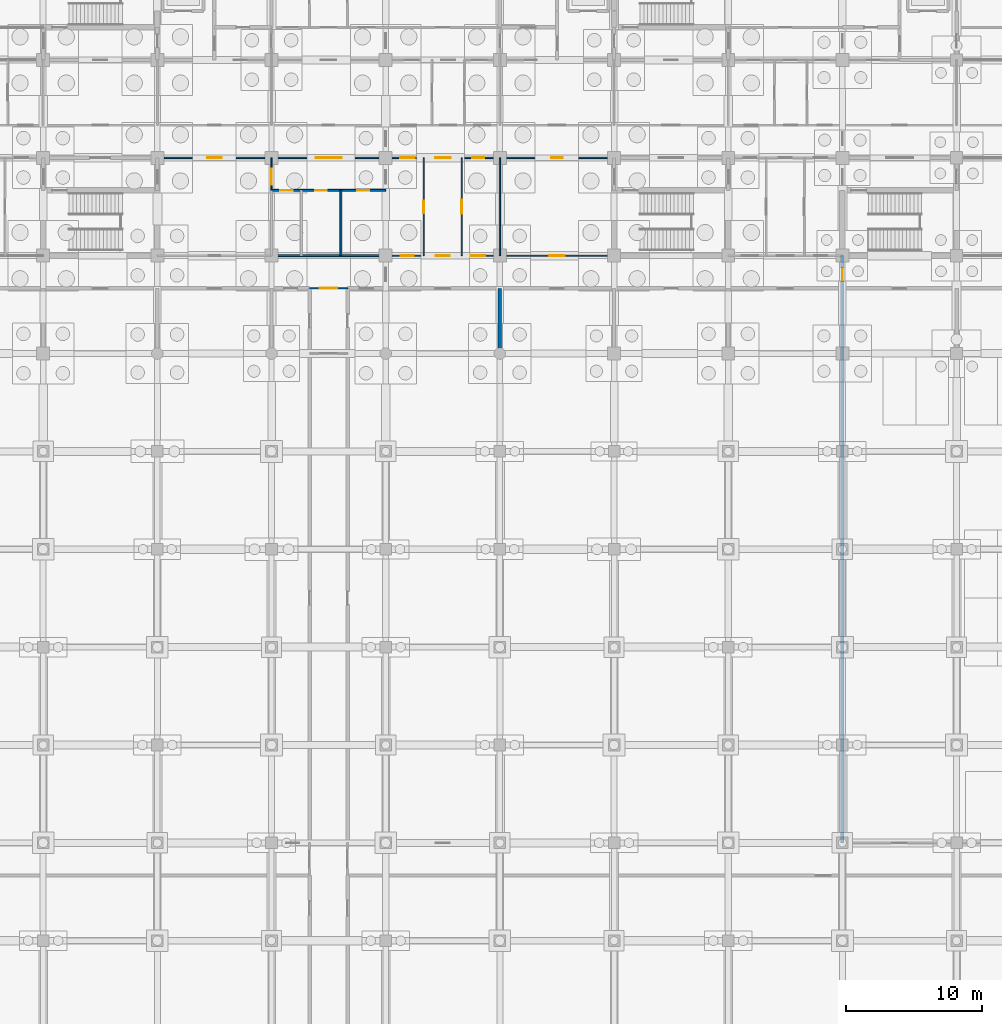
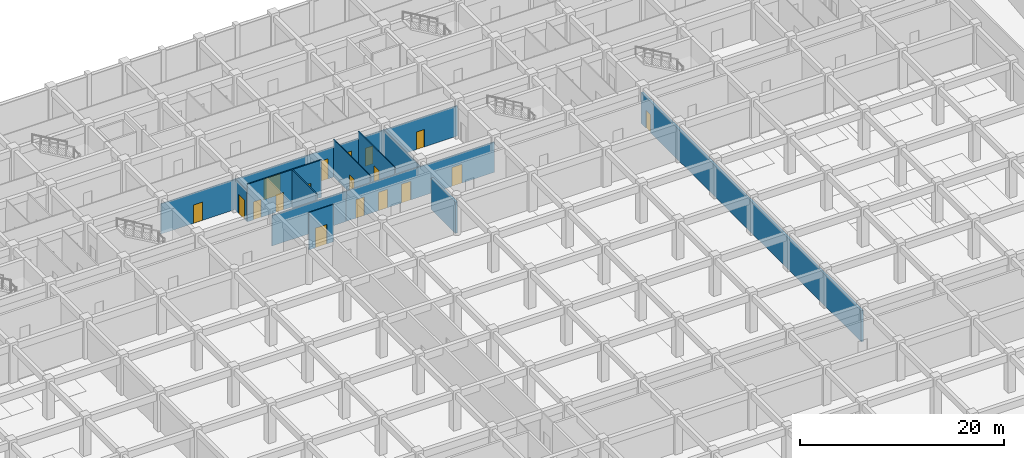
# One storey, part 37 of 85: 18 doors, 12 walls, 18 openings.
"""IFC4 building model written with IfcOpenShell, lengths in metres."""

from ifc_helpers import new_model, si_unit, direction, frame, frame_2d, origin, place, context, subcontext, project, spatial, rectangle, extrude, material, layer, layer_set, type_object, element, fill, save


model = new_model("IFC4")

# Units and contexts
model_context = context("Model", 3, precision=1e-05, world=origin(), true_north=direction((0.0, 1.0)))
body_context = subcontext(model_context, "Body", "Model", "MODEL_VIEW")
ifc_project = project(units=[si_unit("LENGTHUNIT", "METRE"), si_unit("AREAUNIT", "SQUARE_METRE"), si_unit("VOLUMEUNIT", "CUBIC_METRE"), si_unit("PLANEANGLEUNIT", "RADIAN"), si_unit("MASSUNIT", "GRAM", prefix="KILO")], contexts=[model_context])

# Site, building, storey
site_placement = place(None, origin())
site = spatial("IfcSite", under=ifc_project, at=site_placement, CompositionType="ELEMENT")
building_placement = place(site_placement, origin())
building = spatial("IfcBuilding", under=site, at=building_placement, Name="Chengyuan Square Courthouse", CompositionType="ELEMENT")
storey_placement = place(building_placement, frame((0.0, 0.0, -10.199951171875)))
storey = spatial("IfcBuildingStorey", under=building, at=storey_placement, Name="B02", CompositionType="ELEMENT", Elevation=-10.199951171875)

# Wall
ifc_material_1 = material(Name="Concrete C40", Category="concrete")
ifc_layer_1 = layer(ifc_material_1, 0.25)
ifc_layer_set_1 = layer_set([ifc_layer_1], Name="Concrete C40")
wall_type_1 = type_object("IfcWallType", Name="WL-FW1", PredefinedType="STANDARD", material=ifc_layer_set_1)
wall_1_placement = place(storey_placement, frame((92.39990234375, 79.199951171875, 0.0), z_axis=(0.0, 0.0, 1.0), x_axis=(0.0, 1.0, 0.0)))
element("IfcWall", 1, at=wall_1_placement, inside=storey, type_object=wall_type_1, Name="Interior Wall WL-B02-I204", PredefinedType="STANDARD", context=body_context, shape_type="SweptSolid", body=[
    extrude(rectangle(XDim=4.800048828125, YDim=0.25, at=frame_2d((2.39990234375, 0.0))), origin(), (0.0, 0.0, 1.0), 3.72998046875),
])

# Wall, opening, door
wall_2_placement = place(storey_placement, frame((117.60009765625, 43.199951171875, 0.0), z_axis=(0.0, 0.0, 1.0), x_axis=(0.0, 1.0, 0.0)))
wall_2 = element("IfcWall", 2, at=wall_2_placement, inside=storey, type_object=wall_type_1, Name="Interior Wall WL-B02-I232", PredefinedType="STANDARD", context=body_context, shape_type="SweptSolid", body=[
    extrude(rectangle(XDim=43.199951171875, YDim=0.25, at=frame_2d((21.60009765625, 0.0))), origin(), (0.0, 0.0, 1.0), 3.72998046875),
])
opening_1_placement = place(wall_2_placement, frame((41.327392578125, 0.0, 0.0)))
opening_1 = element("IfcOpeningElement", 3, at=opening_1_placement, cuts=wall_2, Name="Opening DR-303", PredefinedType="OPENING", context=body_context, shape_type="SweptSolid", body=[
    extrude(rectangle(XDim=0.949951171875, YDim=2.14990234375, at=frame_2d((0.47509765625, 1.074951171875))), frame((0.0, 0.136962890625, 0.0), z_axis=(0.0, -1.0, 0.0), x_axis=(1.0, 0.0, 0.0)), (0.0, 0.0, 1.0), 0.27392578125),
])
ifc_material_2 = material(Name="Steel Q235B Fire Door", Category="steel")
door_type_1 = type_object("IfcDoorType", Name="DT-12", OperationType="NOTDEFINED", PredefinedType="DOOR", material=ifc_material_2)
door_1_placement = place(opening_1_placement, origin())
door_1 = element("IfcDoor", 4, at=door_1_placement, inside=storey, type_object=door_type_1, Name="Interior Door DR-303", OperationType="SINGLE_SWING_RIGHT", OverallHeight=2.14990234375, OverallWidth=0.949951171875, PredefinedType="DOOR", context=body_context, shape_type="SweptSolid", body=[
    extrude(rectangle(XDim=0.949951171875, YDim=2.14990234375, at=frame_2d((0.47509765625, 1.074951171875))), frame((0.0, 0.02490234375, 0.0), z_axis=(0.0, -1.0, 0.0), x_axis=(1.0, 0.0, 0.0)), (0.0, 0.0, 1.0), 0.050048828125),
])
fill(opening_1, door_1)

# Wall
ifc_material_3 = material(Name="Moisture-Resistant Masonry Wet-Room Partition", Category="masonry")
ifc_layer_2 = layer(ifc_material_3, 0.139892578125)
ifc_layer_set_2 = layer_set([ifc_layer_2], Name="Moisture-Resistant Masonry Wet-Room Partition")
wall_type_2 = type_object("IfcWallType", Name="WL-PT4", PredefinedType="STANDARD", material=ifc_layer_set_2)
wall_3_placement = place(storey_placement, frame((75.60009765625, 86.39990234375, 0.0), z_axis=(0.0, 0.0, 1.0), x_axis=(1.0, 0.0, 0.0)))
element("IfcWall", 5, at=wall_3_placement, inside=storey, type_object=wall_type_2, Name="Interior Wall WL-B02-I034", PredefinedType="STANDARD", context=body_context, shape_type="SweptSolid", body=[
    extrude(rectangle(XDim=8.39990234375, YDim=0.139892578125, at=frame_2d((4.199951171875, 0.0))), origin(), (0.0, 0.0, 1.0), 3.6298828125),
])

# Wall, openings, doors
wall_4_placement = place(storey_placement, frame((75.60009765625, 91.199951171875, 0.0), z_axis=(0.0, 0.0, 1.0), x_axis=(1.0, 0.0, 0.0)))
wall_4 = element("IfcWall", 6, at=wall_4_placement, inside=storey, type_object=wall_type_2, Name="Interior Wall WL-B02-I045", PredefinedType="STANDARD", context=body_context, shape_type="SweptSolid", body=[
    extrude(rectangle(XDim=8.39990234375, YDim=0.139892578125, at=frame_2d((4.199951171875, 0.0))), origin(), (0.0, 0.0, 1.0), 4.47998046875),
])
opening_2_placement = place(wall_4_placement, frame((0.64990234375, 0.0, 0.0)))
opening_2 = element("IfcOpeningElement", 7, at=opening_2_placement, cuts=wall_4, Name="Opening DR-141", PredefinedType="OPENING", context=body_context, shape_type="SweptSolid", body=[
    extrude(rectangle(XDim=0.89990234375, YDim=2.14990234375, at=frame_2d((0.449951171875, 1.074951171875))), frame((0.0, 0.08203125, 0.0), z_axis=(0.0, -1.0, 0.0), x_axis=(1.0, 0.0, 0.0)), (0.0, 0.0, 1.0), 0.163818359375),
])
opening_3_placement = place(wall_4_placement, frame((3.219970703125, 0.0, 0.0)))
opening_3 = element("IfcOpeningElement", 8, at=opening_3_placement, cuts=wall_4, Name="Opening DR-142", PredefinedType="OPENING", context=body_context, shape_type="SweptSolid", body=[
    extrude(rectangle(XDim=0.860107421875, YDim=2.10009765625, at=frame_2d((0.43017578125, 1.050048828125))), frame((0.0, 0.08203125, 0.0), z_axis=(0.0, -1.0, 0.0), x_axis=(1.0, 0.0, 0.0)), (0.0, 0.0, 1.0), 0.163818359375),
])
opening_4_placement = place(wall_4_placement, frame((6.320068359375, 0.0, 0.0)))
opening_4 = element("IfcOpeningElement", 9, at=opening_4_placement, cuts=wall_4, Name="Opening DR-143", PredefinedType="OPENING", context=body_context, shape_type="SweptSolid", body=[
    extrude(rectangle(XDim=0.860107421875, YDim=2.10009765625, at=frame_2d((0.43017578125, 1.050048828125))), frame((0.0, 0.08203125, 0.0), z_axis=(0.0, -1.0, 0.0), x_axis=(1.0, 0.0, 0.0)), (0.0, 0.0, 1.0), 0.163818359375),
])
ifc_material_4 = material(Name="Acoustic Solid-Core Timber Door", Category="wood")
door_type_2 = type_object("IfcDoorType", Name="DT-27", OperationType="NOTDEFINED", PredefinedType="DOOR", material=ifc_material_4)
door_2_placement = place(opening_2_placement, origin())
door_2 = element("IfcDoor", 10, at=door_2_placement, inside=storey, type_object=door_type_2, Name="Interior Door DR-141", OperationType="SINGLE_SWING_LEFT", OverallHeight=2.14990234375, OverallWidth=0.89990234375, PredefinedType="DOOR", context=body_context, shape_type="SweptSolid", body=[
    extrude(rectangle(XDim=0.89990234375, YDim=2.14990234375, at=frame_2d((0.449951171875, 1.074951171875))), frame((0.0, 0.02490234375, 0.0), z_axis=(0.0, -1.0, 0.0), x_axis=(1.0, 0.0, 0.0)), (0.0, 0.0, 1.0), 0.050048828125),
])
fill(opening_2, door_2)
door_type_3 = type_object("IfcDoorType", Name="DT-28", OperationType="NOTDEFINED", PredefinedType="DOOR", material=ifc_material_4)
door_3_placement = place(opening_3_placement, origin())
door_3 = element("IfcDoor", 11, at=door_3_placement, inside=storey, type_object=door_type_3, Name="Interior Door DR-142", OperationType="SINGLE_SWING_RIGHT", OverallHeight=2.10009765625, OverallWidth=0.860107421875, PredefinedType="DOOR", context=body_context, shape_type="SweptSolid", body=[
    extrude(rectangle(XDim=0.860107421875, YDim=2.10009765625, at=frame_2d((0.43017578125, 1.050048828125))), frame((0.0, 0.02490234375, 0.0), z_axis=(0.0, -1.0, 0.0), x_axis=(1.0, 0.0, 0.0)), (0.0, 0.0, 1.0), 0.050048828125),
])
fill(opening_3, door_3)
door_4_placement = place(opening_4_placement, origin())
door_4 = element("IfcDoor", 12, at=door_4_placement, inside=storey, type_object=door_type_3, Name="Interior Door DR-143", OperationType="SINGLE_SWING_LEFT", OverallHeight=2.10009765625, OverallWidth=0.860107421875, PredefinedType="DOOR", context=body_context, shape_type="SweptSolid", body=[
    extrude(rectangle(XDim=0.860107421875, YDim=2.10009765625, at=frame_2d((0.43017578125, 1.050048828125))), frame((0.0, 0.02490234375, 0.0), z_axis=(0.0, -1.0, 0.0), x_axis=(1.0, 0.0, 0.0)), (0.0, 0.0, 1.0), 0.050048828125),
])
fill(opening_4, door_4)

# Wall
wall_5_placement = place(storey_placement, frame((80.699951171875, 86.39990234375, 0.0), z_axis=(0.0, 0.0, 1.0), x_axis=(0.0, 1.0, 0.0)))
element("IfcWall", 13, at=wall_5_placement, inside=storey, type_object=wall_type_2, Name="Interior Wall WL-B02-I194", PredefinedType="STANDARD", context=body_context, shape_type="SweptSolid", body=[
    extrude(rectangle(XDim=4.800048828125, YDim=0.139892578125, at=frame_2d((2.39990234375, 0.0))), origin(), (0.0, 0.0, 1.0), 4.47998046875),
])

# Wall, opening, door
ifc_material_5 = material(Name="Gypsum Plasterboard Acoustic Stud Partition")
ifc_layer_3 = layer(ifc_material_5, 0.10009765625)
ifc_layer_set_3 = layer_set([ifc_layer_3], Name="Gypsum Plasterboard Acoustic Stud Partition")
wall_type_3 = type_object("IfcWallType", Name="WL-PT6", PredefinedType="STANDARD", material=ifc_layer_set_3)
wall_6_placement = place(storey_placement, frame((78.39990234375, 84.0, 0.0), z_axis=(0.0, 0.0, 1.0), x_axis=(1.0, 0.0, 0.0)))
wall_6 = element("IfcWall", 14, at=wall_6_placement, inside=storey, type_object=wall_type_3, Name="Interior Wall WL-B02-I024", PredefinedType="STANDARD", context=body_context, shape_type="SweptSolid", body=[
    extrude(rectangle(XDim=2.800048828125, YDim=0.10009765625, at=frame_2d((1.39990234375, 0.0))), origin(), (0.0, 0.0, 1.0), 4.47998046875),
])
opening_5_placement = place(wall_6_placement, frame((0.760009765625, 0.0, 0.0)))
opening_5 = element("IfcOpeningElement", 15, at=opening_5_placement, cuts=wall_6, Name="Opening DR-301", PredefinedType="OPENING", context=body_context, shape_type="SweptSolid", body=[
    extrude(rectangle(XDim=1.280029296875, YDim=2.35009765625, at=frame_2d((0.64013671875, 1.175048828125))), frame((0.0, 0.06201171875, 0.0), z_axis=(0.0, -1.0, 0.0), x_axis=(1.0, 0.0, 0.0)), (0.0, 0.0, 1.0), 0.1240234375),
])
door_type_4 = type_object("IfcDoorType", Name="DT-38", OperationType="NOTDEFINED", PredefinedType="DOOR", material=ifc_material_4)
door_5_placement = place(opening_5_placement, origin())
door_5 = element("IfcDoor", 16, at=door_5_placement, inside=storey, type_object=door_type_4, Name="Interior Door DR-301", OperationType="SINGLE_SWING_RIGHT", OverallHeight=2.35009765625, OverallWidth=1.280029296875, PredefinedType="DOOR", context=body_context, shape_type="SweptSolid", body=[
    extrude(rectangle(XDim=1.280029296875, YDim=2.35009765625, at=frame_2d((0.64013671875, 1.175048828125))), frame((0.0, 0.02490234375, 0.0), z_axis=(0.0, -1.0, 0.0), x_axis=(1.0, 0.0, 0.0)), (0.0, 0.0, 1.0), 0.050048828125),
])
fill(opening_5, door_5)

# Wall, openings, doors
wall_7_placement = place(storey_placement, frame((84.0, 86.39990234375, 0.0), z_axis=(0.0, 0.0, 1.0), x_axis=(1.0, 0.0, 0.0)))
wall_7 = element("IfcWall", 17, at=wall_7_placement, inside=storey, type_object=wall_type_3, Name="Interior Wall WL-B02-I035", PredefinedType="STANDARD", context=body_context, shape_type="SweptSolid", body=[
    extrude(rectangle(XDim=16.800048828125, YDim=0.10009765625, at=frame_2d((8.39990234375, 0.0))), origin(), (0.0, 0.0, 1.0), 3.6298828125),
])
opening_6_placement = place(wall_7_placement, frame((1.117431640625, 0.0, 0.0)))
opening_6 = element("IfcOpeningElement", 18, at=opening_6_placement, cuts=wall_7, Name="Opening DR-242", PredefinedType="OPENING", context=body_context, shape_type="SweptSolid", body=[
    extrude(rectangle(XDim=0.9599609375, YDim=2.199951171875, at=frame_2d((0.47998046875, 1.10009765625))), frame((0.0, 0.06201171875, 0.0), z_axis=(0.0, -1.0, 0.0), x_axis=(1.0, 0.0, 0.0)), (0.0, 0.0, 1.0), 0.1240234375),
])
opening_7_placement = place(wall_7_placement, frame((3.679931640625, 0.0, 0.0)))
opening_7 = element("IfcOpeningElement", 19, at=opening_7_placement, cuts=wall_7, Name="Opening DR-244", PredefinedType="OPENING", context=body_context, shape_type="SweptSolid", body=[
    extrude(rectangle(XDim=1.0400390625, YDim=2.199951171875, at=frame_2d((0.52001953125, 1.10009765625))), frame((0.0, 0.06201171875, 0.0), z_axis=(0.0, -1.0, 0.0), x_axis=(1.0, 0.0, 0.0)), (0.0, 0.0, 1.0), 0.1240234375),
])
opening_8_placement = place(wall_7_placement, frame((6.262451171875, 0.0, 0.0)))
opening_8 = element("IfcOpeningElement", 20, at=opening_8_placement, cuts=wall_7, Name="Opening DR-245", PredefinedType="OPENING", context=body_context, shape_type="SweptSolid", body=[
    extrude(rectangle(XDim=1.080078125, YDim=2.25, at=frame_2d((0.5400390625, 1.125))), frame((0.0, 0.06201171875, 0.0), z_axis=(0.0, -1.0, 0.0), x_axis=(1.0, 0.0, 0.0)), (0.0, 0.0, 1.0), 0.1240234375),
])
opening_9_placement = place(wall_7_placement, frame((12.0400390625, 0.0, 0.0)))
opening_9 = element("IfcOpeningElement", 21, at=opening_9_placement, cuts=wall_7, Name="Opening DR-246", PredefinedType="OPENING", context=body_context, shape_type="SweptSolid", body=[
    extrude(rectangle(XDim=1.1201171875, YDim=2.25, at=frame_2d((0.56005859375, 1.125))), frame((0.0, 0.06201171875, 0.0), z_axis=(0.0, -1.0, 0.0), x_axis=(1.0, 0.0, 0.0)), (0.0, 0.0, 1.0), 0.1240234375),
])
door_type_5 = type_object("IfcDoorType", Name="DT-30", OperationType="NOTDEFINED", PredefinedType="DOOR", material=ifc_material_4)
door_6_placement = place(opening_6_placement, origin())
door_6 = element("IfcDoor", 22, at=door_6_placement, inside=storey, type_object=door_type_5, Name="Interior Door DR-242", OperationType="SINGLE_SWING_RIGHT", OverallHeight=2.199951171875, OverallWidth=0.9599609375, PredefinedType="DOOR", context=body_context, shape_type="SweptSolid", body=[
    extrude(rectangle(XDim=0.9599609375, YDim=2.199951171875, at=frame_2d((0.47998046875, 1.10009765625))), frame((0.0, 0.02490234375, 0.0), z_axis=(0.0, -1.0, 0.0), x_axis=(1.0, 0.0, 0.0)), (0.0, 0.0, 1.0), 0.050048828125),
])
fill(opening_6, door_6)
door_type_6 = type_object("IfcDoorType", Name="DT-32", OperationType="NOTDEFINED", PredefinedType="DOOR", material=ifc_material_4)
door_7_placement = place(opening_7_placement, origin())
door_7 = element("IfcDoor", 23, at=door_7_placement, inside=storey, type_object=door_type_6, Name="Interior Door DR-244", OperationType="SINGLE_SWING_RIGHT", OverallHeight=2.199951171875, OverallWidth=1.0400390625, PredefinedType="DOOR", context=body_context, shape_type="SweptSolid", body=[
    extrude(rectangle(XDim=1.0400390625, YDim=2.199951171875, at=frame_2d((0.52001953125, 1.10009765625))), frame((0.0, 0.02490234375, 0.0), z_axis=(0.0, -1.0, 0.0), x_axis=(1.0, 0.0, 0.0)), (0.0, 0.0, 1.0), 0.050048828125),
])
fill(opening_7, door_7)
door_type_7 = type_object("IfcDoorType", Name="DT-33", OperationType="NOTDEFINED", PredefinedType="DOOR", material=ifc_material_4)
door_8_placement = place(opening_8_placement, origin())
door_8 = element("IfcDoor", 24, at=door_8_placement, inside=storey, type_object=door_type_7, Name="Interior Door DR-245", OperationType="SINGLE_SWING_LEFT", OverallHeight=2.25, OverallWidth=1.080078125, PredefinedType="DOOR", context=body_context, shape_type="SweptSolid", body=[
    extrude(rectangle(XDim=1.080078125, YDim=2.25, at=frame_2d((0.5400390625, 1.125))), frame((0.0, 0.02490234375, 0.0), z_axis=(0.0, -1.0, 0.0), x_axis=(1.0, 0.0, 0.0)), (0.0, 0.0, 1.0), 0.050048828125),
])
fill(opening_8, door_8)
door_type_8 = type_object("IfcDoorType", Name="DT-34", OperationType="NOTDEFINED", PredefinedType="DOOR", material=ifc_material_4)
door_9_placement = place(opening_9_placement, origin())
door_9 = element("IfcDoor", 25, at=door_9_placement, inside=storey, type_object=door_type_8, Name="Interior Door DR-246", OperationType="SINGLE_SWING_RIGHT", OverallHeight=2.25, OverallWidth=1.1201171875, PredefinedType="DOOR", context=body_context, shape_type="SweptSolid", body=[
    extrude(rectangle(XDim=1.1201171875, YDim=2.25, at=frame_2d((0.56005859375, 1.125))), frame((0.0, 0.02490234375, 0.0), z_axis=(0.0, -1.0, 0.0), x_axis=(1.0, 0.0, 0.0)), (0.0, 0.0, 1.0), 0.050048828125),
])
fill(opening_9, door_9)

wall_8_placement = place(storey_placement, frame((67.199951171875, 93.60009765625, 0.0), z_axis=(0.0, 0.0, 1.0), x_axis=(1.0, 0.0, 0.0)))
wall_8 = element("IfcWall", 26, at=wall_8_placement, inside=storey, type_object=wall_type_3, Name="Interior Wall WL-B02-I055", PredefinedType="STANDARD", context=body_context, shape_type="SweptSolid", body=[
    extrude(rectangle(XDim=33.60009765625, YDim=0.10009765625, at=frame_2d((16.800048828125, 0.0))), origin(), (0.0, 0.0, 1.0), 3.6298828125),
])
opening_10_placement = place(wall_8_placement, frame((11.64990234375, 0.0, 0.0)))
opening_10 = element("IfcOpeningElement", 27, at=opening_10_placement, cuts=wall_8, Name="Opening DR-144", PredefinedType="OPENING", context=body_context, shape_type="SweptSolid", body=[
    extrude(rectangle(XDim=1.89990234375, YDim=2.5, at=frame_2d((0.949951171875, 1.25))), frame((0.0, 0.06201171875, 0.0), z_axis=(0.0, -1.0, 0.0), x_axis=(1.0, 0.0, 0.0)), (0.0, 0.0, 1.0), 0.1240234375),
])
opening_11_placement = place(wall_8_placement, frame((3.679931640625, 0.0, 0.0)))
opening_11 = element("IfcOpeningElement", 28, at=opening_11_placement, cuts=wall_8, Name="Opening DR-176", PredefinedType="OPENING", context=body_context, shape_type="SweptSolid", body=[
    extrude(rectangle(XDim=1.0400390625, YDim=2.199951171875, at=frame_2d((0.52001953125, 1.10009765625))), frame((0.0, 0.06201171875, 0.0), z_axis=(0.0, -1.0, 0.0), x_axis=(1.0, 0.0, 0.0)), (0.0, 0.0, 1.0), 0.1240234375),
])
opening_12_placement = place(wall_8_placement, frame((17.867431640625, 0.0, 0.0)))
opening_12 = element("IfcOpeningElement", 29, at=opening_12_placement, cuts=wall_8, Name="Opening DR-186", PredefinedType="OPENING", context=body_context, shape_type="SweptSolid", body=[
    extrude(rectangle(XDim=1.06005859375, YDim=2.39990234375, at=frame_2d((0.530029296875, 1.199951171875))), frame((0.0, 0.06201171875, 0.0), z_axis=(0.0, -1.0, 0.0), x_axis=(1.0, 0.0, 0.0)), (0.0, 0.0, 1.0), 0.1240234375),
])
opening_13_placement = place(wall_8_placement, frame((20.429931640625, 0.0, 0.0)))
opening_13 = element("IfcOpeningElement", 30, at=opening_13_placement, cuts=wall_8, Name="Opening DR-187", PredefinedType="OPENING", context=body_context, shape_type="SweptSolid", body=[
    extrude(rectangle(XDim=1.139892578125, YDim=2.39990234375, at=frame_2d((0.56982421875, 1.199951171875))), frame((0.0, 0.06201171875, 0.0), z_axis=(0.0, -1.0, 0.0), x_axis=(1.0, 0.0, 0.0)), (0.0, 0.0, 1.0), 0.1240234375),
])
opening_14_placement = place(wall_8_placement, frame((23.152587890625, 0.0, 0.0)))
opening_14 = element("IfcOpeningElement", 31, at=opening_14_placement, cuts=wall_8, Name="Opening DR-188", PredefinedType="OPENING", context=body_context, shape_type="SweptSolid", body=[
    extrude(rectangle(XDim=0.89990234375, YDim=2.14990234375, at=frame_2d((0.449951171875, 1.074951171875))), frame((0.0, 0.06201171875, 0.0), z_axis=(0.0, -1.0, 0.0), x_axis=(1.0, 0.0, 0.0)), (0.0, 0.0, 1.0), 0.1240234375),
])
opening_15_placement = place(wall_8_placement, frame((28.969970703125, 0.0, 0.0)))
opening_15 = element("IfcOpeningElement", 32, at=opening_15_placement, cuts=wall_8, Name="Opening DR-189", PredefinedType="OPENING", context=body_context, shape_type="SweptSolid", body=[
    extrude(rectangle(XDim=0.860107421875, YDim=2.10009765625, at=frame_2d((0.43017578125, 1.050048828125))), frame((0.0, 0.06201171875, 0.0), z_axis=(0.0, -1.0, 0.0), x_axis=(1.0, 0.0, 0.0)), (0.0, 0.0, 1.0), 0.1240234375),
])
ifc_material_6 = material(Name="Acoustic Larch Veneer Double Door")
door_type_9 = type_object("IfcDoorType", Name="DT-26", OperationType="DOUBLE_DOOR_SINGLE_SWING", PredefinedType="DOOR", material=ifc_material_6)
door_10_placement = place(opening_10_placement, frame((1.89990234375, 0.0, 0.0), z_axis=(0.0, 0.0, 1.0), x_axis=(-1.0, 0.0, 0.0)))
door_10 = element("IfcDoor", 33, at=door_10_placement, inside=storey, type_object=door_type_9, Name="Interior Door DR-144", OperationType="DOUBLE_DOOR_SINGLE_SWING", OverallHeight=2.5, OverallWidth=1.89990234375, PredefinedType="DOOR", context=body_context, shape_type="SweptSolid", body=[
    extrude(rectangle(XDim=1.89990234375, YDim=2.5, at=frame_2d((0.949951171875, 1.25))), frame((0.0, 0.02490234375, 0.0), z_axis=(0.0, -1.0, 0.0), x_axis=(1.0, 0.0, 0.0)), (0.0, 0.0, 1.0), 0.050048828125),
])
fill(opening_10, door_10)
door_11_placement = place(opening_14_placement, origin())
door_11 = element("IfcDoor", 34, at=door_11_placement, inside=storey, type_object=door_type_2, Name="Interior Door DR-188", OperationType="SINGLE_SWING_LEFT", OverallHeight=2.14990234375, OverallWidth=0.89990234375, PredefinedType="DOOR", context=body_context, shape_type="SweptSolid", body=[
    extrude(rectangle(XDim=0.89990234375, YDim=2.14990234375, at=frame_2d((0.449951171875, 1.074951171875))), frame((0.0, 0.02490234375, 0.0), z_axis=(0.0, -1.0, 0.0), x_axis=(1.0, 0.0, 0.0)), (0.0, 0.0, 1.0), 0.050048828125),
])
fill(opening_14, door_11)
door_12_placement = place(opening_15_placement, origin())
door_12 = element("IfcDoor", 35, at=door_12_placement, inside=storey, type_object=door_type_3, Name="Interior Door DR-189", OperationType="SINGLE_SWING_RIGHT", OverallHeight=2.10009765625, OverallWidth=0.860107421875, PredefinedType="DOOR", context=body_context, shape_type="SweptSolid", body=[
    extrude(rectangle(XDim=0.860107421875, YDim=2.10009765625, at=frame_2d((0.43017578125, 1.050048828125))), frame((0.0, 0.02490234375, 0.0), z_axis=(0.0, -1.0, 0.0), x_axis=(1.0, 0.0, 0.0)), (0.0, 0.0, 1.0), 0.050048828125),
])
fill(opening_15, door_12)
door_13_placement = place(opening_11_placement, origin())
door_13 = element("IfcDoor", 36, at=door_13_placement, inside=storey, type_object=door_type_6, Name="Interior Door DR-176", OperationType="SINGLE_SWING_LEFT", OverallHeight=2.199951171875, OverallWidth=1.0400390625, PredefinedType="DOOR", context=body_context, shape_type="SweptSolid", body=[
    extrude(rectangle(XDim=1.0400390625, YDim=2.199951171875, at=frame_2d((0.52001953125, 1.10009765625))), frame((0.0, 0.02490234375, 0.0), z_axis=(0.0, -1.0, 0.0), x_axis=(1.0, 0.0, 0.0)), (0.0, 0.0, 1.0), 0.050048828125),
])
fill(opening_11, door_13)
door_type_10 = type_object("IfcDoorType", Name="DT-42", OperationType="NOTDEFINED", PredefinedType="DOOR", material=ifc_material_4)
door_14_placement = place(opening_12_placement, origin())
door_14 = element("IfcDoor", 37, at=door_14_placement, inside=storey, type_object=door_type_10, Name="Interior Door DR-186", OperationType="SINGLE_SWING_LEFT", OverallHeight=2.39990234375, OverallWidth=1.06005859375, PredefinedType="DOOR", context=body_context, shape_type="SweptSolid", body=[
    extrude(rectangle(XDim=1.06005859375, YDim=2.39990234375, at=frame_2d((0.530029296875, 1.199951171875))), frame((0.0, 0.02490234375, 0.0), z_axis=(0.0, -1.0, 0.0), x_axis=(1.0, 0.0, 0.0)), (0.0, 0.0, 1.0), 0.050048828125),
])
fill(opening_12, door_14)
door_type_11 = type_object("IfcDoorType", Name="DT-43", OperationType="NOTDEFINED", PredefinedType="DOOR", material=ifc_material_4)
door_15_placement = place(opening_13_placement, origin())
door_15 = element("IfcDoor", 38, at=door_15_placement, inside=storey, type_object=door_type_11, Name="Interior Door DR-187", OperationType="SINGLE_SWING_RIGHT", OverallHeight=2.39990234375, OverallWidth=1.139892578125, PredefinedType="DOOR", context=body_context, shape_type="SweptSolid", body=[
    extrude(rectangle(XDim=1.139892578125, YDim=2.39990234375, at=frame_2d((0.56982421875, 1.199951171875))), frame((0.0, 0.02490234375, 0.0), z_axis=(0.0, -1.0, 0.0), x_axis=(1.0, 0.0, 0.0)), (0.0, 0.0, 1.0), 0.050048828125),
])
fill(opening_13, door_15)

# Wall, opening, door
wall_9_placement = place(storey_placement, frame((75.60009765625, 91.199951171875, 0.0), z_axis=(0.0, 0.0, 1.0), x_axis=(0.0, 1.0, 0.0)))
wall_9 = element("IfcWall", 39, at=wall_9_placement, inside=storey, type_object=wall_type_3, Name="Interior Wall WL-B02-I185", PredefinedType="STANDARD", context=body_context, shape_type="SweptSolid", body=[
    extrude(rectangle(XDim=2.400146484375, YDim=0.10009765625, at=frame_2d((1.2001953125, 0.0))), origin(), (0.0, 0.0, 1.0), 3.72998046875),
])
opening_16_placement = place(wall_9_placement, frame((0.422607421875, 0.0, 0.0)))
opening_16 = element("IfcOpeningElement", 40, at=opening_16_placement, cuts=wall_9, Name="Opening DR-145", PredefinedType="OPENING", context=body_context, shape_type="SweptSolid", body=[
    extrude(rectangle(XDim=1.159912109375, YDim=2.300048828125, at=frame_2d((0.580078125, 1.14990234375))), frame((0.0, 0.06201171875, 0.0), z_axis=(0.0, -1.0, 0.0), x_axis=(1.0, 0.0, 0.0)), (0.0, 0.0, 1.0), 0.1240234375),
])
door_type_12 = type_object("IfcDoorType", Name="DT-35", OperationType="NOTDEFINED", PredefinedType="DOOR", material=ifc_material_4)
door_16_placement = place(opening_16_placement, origin())
door_16 = element("IfcDoor", 41, at=door_16_placement, inside=storey, type_object=door_type_12, Name="Interior Door DR-145", OperationType="SINGLE_SWING_RIGHT", OverallHeight=2.300048828125, OverallWidth=1.159912109375, PredefinedType="DOOR", context=body_context, shape_type="SweptSolid", body=[
    extrude(rectangle(XDim=1.159912109375, YDim=2.300048828125, at=frame_2d((0.580078125, 1.14990234375))), frame((0.0, 0.02490234375, 0.0), z_axis=(0.0, -1.0, 0.0), x_axis=(1.0, 0.0, 0.0)), (0.0, 0.0, 1.0), 0.050048828125),
])
fill(opening_16, door_16)

wall_10_placement = place(storey_placement, frame((86.800048828125, 86.39990234375, 0.0), z_axis=(0.0, 0.0, 1.0), x_axis=(0.0, 1.0, 0.0)))
wall_10 = element("IfcWall", 42, at=wall_10_placement, inside=storey, type_object=wall_type_3, Name="Interior Wall WL-B02-I200", PredefinedType="STANDARD", context=body_context, shape_type="SweptSolid", body=[
    extrude(rectangle(XDim=7.2001953125, YDim=0.10009765625, at=frame_2d((3.60009765625, 0.0))), origin(), (0.0, 0.0, 1.0), 4.47998046875),
])
opening_17_placement = place(wall_10_placement, frame((3.139892578125, 0.0, 0.0)))
opening_17 = element("IfcOpeningElement", 43, at=opening_17_placement, cuts=wall_10, Name="Opening DR-241", PredefinedType="OPENING", context=body_context, shape_type="SweptSolid", body=[
    extrude(rectangle(XDim=0.919921875, YDim=2.14990234375, at=frame_2d((0.4599609375, 1.074951171875))), frame((0.0, 0.06201171875, 0.0), z_axis=(0.0, -1.0, 0.0), x_axis=(1.0, 0.0, 0.0)), (0.0, 0.0, 1.0), 0.1240234375),
])
door_type_13 = type_object("IfcDoorType", Name="DT-29", OperationType="NOTDEFINED", PredefinedType="DOOR", material=ifc_material_4)
door_17_placement = place(opening_17_placement, origin())
door_17 = element("IfcDoor", 44, at=door_17_placement, inside=storey, type_object=door_type_13, Name="Interior Door DR-241", OperationType="SINGLE_SWING_LEFT", OverallHeight=2.14990234375, OverallWidth=0.919921875, PredefinedType="DOOR", context=body_context, shape_type="SweptSolid", body=[
    extrude(rectangle(XDim=0.919921875, YDim=2.14990234375, at=frame_2d((0.4599609375, 1.074951171875))), frame((0.0, 0.02490234375, 0.0), z_axis=(0.0, -1.0, 0.0), x_axis=(1.0, 0.0, 0.0)), (0.0, 0.0, 1.0), 0.050048828125),
])
fill(opening_17, door_17)

wall_11_placement = place(storey_placement, frame((89.60009765625, 86.39990234375, 0.0), z_axis=(0.0, 0.0, 1.0), x_axis=(0.0, 1.0, 0.0)))
wall_11 = element("IfcWall", 45, at=wall_11_placement, inside=storey, type_object=wall_type_3, Name="Interior Wall WL-B02-I202", PredefinedType="STANDARD", context=body_context, shape_type="SweptSolid", body=[
    extrude(rectangle(XDim=7.2001953125, YDim=0.10009765625, at=frame_2d((3.60009765625, 0.0))), origin(), (0.0, 0.0, 1.0), 4.47998046875),
])
opening_18_placement = place(wall_11_placement, frame((3.10009765625, 0.0, 0.0)))
opening_18 = element("IfcOpeningElement", 46, at=opening_18_placement, cuts=wall_11, Name="Opening DR-243", PredefinedType="OPENING", context=body_context, shape_type="SweptSolid", body=[
    extrude(rectangle(XDim=1.0, YDim=2.25, at=frame_2d((0.5, 1.125))), frame((0.0, 0.06201171875, 0.0), z_axis=(0.0, -1.0, 0.0), x_axis=(1.0, 0.0, 0.0)), (0.0, 0.0, 1.0), 0.1240234375),
])
door_type_14 = type_object("IfcDoorType", Name="DT-31", OperationType="NOTDEFINED", PredefinedType="DOOR", material=ifc_material_4)
door_18_placement = place(opening_18_placement, origin())
door_18 = element("IfcDoor", 47, at=door_18_placement, inside=storey, type_object=door_type_14, Name="Interior Door DR-243", OperationType="SINGLE_SWING_LEFT", OverallHeight=2.25, OverallWidth=1.0, PredefinedType="DOOR", context=body_context, shape_type="SweptSolid", body=[
    extrude(rectangle(XDim=1.0, YDim=2.25, at=frame_2d((0.5, 1.125))), frame((0.0, 0.02490234375, 0.0), z_axis=(0.0, -1.0, 0.0), x_axis=(1.0, 0.0, 0.0)), (0.0, 0.0, 1.0), 0.050048828125),
])
fill(opening_18, door_18)

# Wall
wall_12_placement = place(storey_placement, frame((92.39990234375, 86.39990234375, 0.0), z_axis=(0.0, 0.0, 1.0), x_axis=(0.0, 1.0, 0.0)))
element("IfcWall", 48, at=wall_12_placement, inside=storey, type_object=wall_type_3, Name="Interior Wall WL-B02-I205", PredefinedType="STANDARD", context=body_context, shape_type="SweptSolid", body=[
    extrude(rectangle(XDim=7.2001953125, YDim=0.10009765625, at=frame_2d((3.60009765625, 0.0))), origin(), (0.0, 0.0, 1.0), 3.72998046875),
])

save(model, "model.ifc")
